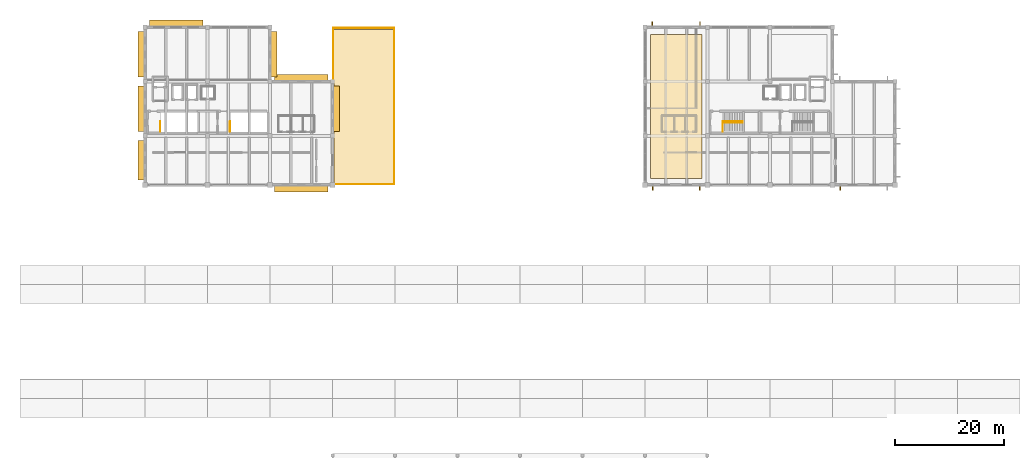
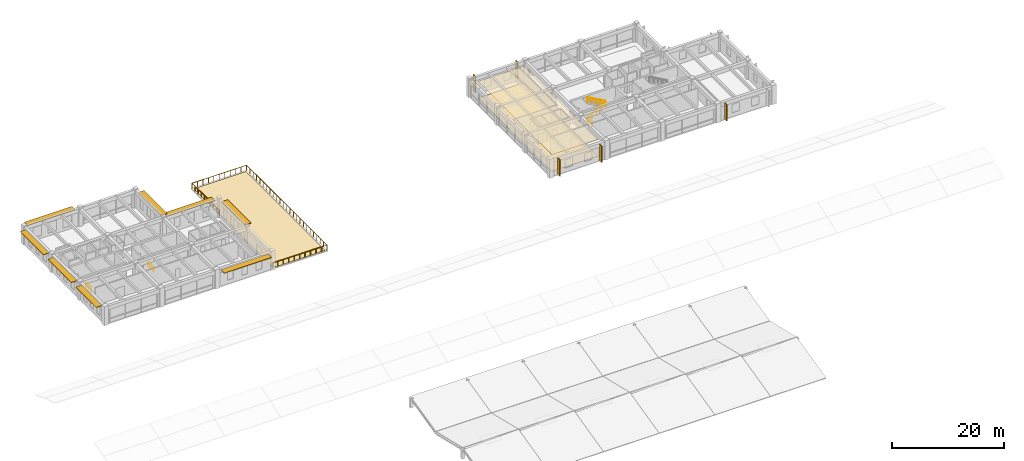
# One storey, part 32 of 33: 13 shading devices, 7 railings, 3 coverings.
"""IFC4 building model written with IfcOpenShell, lengths in metres."""

from ifc_helpers import new_model, si_unit, direction, frame, origin, origin_2d, place, context, subcontext, project, spatial, polyline, rectangle, circle, outline, extrude, material, layer, layer_set, type_object, element, save


model = new_model("IFC4")

# Units and contexts
model_context = context("Model", 3, precision=1e-05, world=origin(), true_north=direction((0.0, 1.0)))
body_context = subcontext(model_context, "Body", "Model", "MODEL_VIEW")
ifc_project = project(units=[si_unit("LENGTHUNIT", "METRE"), si_unit("AREAUNIT", "SQUARE_METRE"), si_unit("VOLUMEUNIT", "CUBIC_METRE"), si_unit("PLANEANGLEUNIT", "RADIAN"), si_unit("MASSUNIT", "GRAM", prefix="KILO")], contexts=[model_context])

# Site, building, storey
site_placement = place(None, origin())
site = spatial("IfcSite", under=ifc_project, at=site_placement, CompositionType="ELEMENT")
building_placement = place(site_placement, origin())
building = spatial("IfcBuilding", under=site, at=building_placement, Name="Ologun Quay Terminus", CompositionType="ELEMENT")
storey_placement = place(building_placement, frame((0.0, 0.0, 18.300048828125)))
storey = spatial("IfcBuildingStorey", under=building, at=storey_placement, Name="L04", CompositionType="ELEMENT", Elevation=18.300048828125)

# Covering
ifc_material_1 = material(Name="Steel S355", Category="steel")
ifc_layer_1 = layer(ifc_material_1, 0.044921875)
ifc_layer_set_1 = layer_set([ifc_layer_1], Name="Steel S355")
covering_type_1 = type_object("IfcCoveringType", Name="Anti-Static Raised Access Control Floor 45", PredefinedType="FLOORING", material=ifc_layer_set_1)
covering_1_placement = place(storey_placement, origin())
element("IfcCovering", 1, at=covering_1_placement, inside=storey, type_object=covering_type_1, Name="CV-FL3 Interior Flooring 14", PredefinedType="FLOORING", context=body_context, shape_type="SweptSolid", body=[
    extrude(outline(polyline([(116.0, 87.0), (125.5, 87.0), (125.5, 113.5), (116.0, 113.5), (116.0, 87.0)])), origin(), (0.0, 0.0, 1.0), 0.044921875),
])

# Shading devices
ifc_material_2 = material(Name="Aluminium 6063-T6", Category="aluminium")
ifc_layer_2 = layer(ifc_material_2, 0.10009765625)
ifc_layer_set_2 = layer_set([ifc_layer_2], Name="Aluminium 6063-T6")
shading_device_type_1 = type_object("IfcShadingDeviceType", Name="Deep Waterfront Brise-Soleil Blade 1200", PredefinedType="JALOUSIE", material=ifc_layer_set_2)
shading_device_1_placement = place(storey_placement, frame((51.75, 85.070068359375, 3.489990234375), z_axis=(0.0, 0.0, 1.0), x_axis=(1.0, 0.0, 0.0)))
element("IfcShadingDevice", 2, at=shading_device_1_placement, inside=storey, type_object=shading_device_type_1, Name="SD-02 Sun-Hood WEW-WW-O-L04-3", PredefinedType="JALOUSIE", context=body_context, shape_type="SweptSolid", body=[
    extrude(rectangle(XDim=9.760009765625, YDim=1.199951171875, at=origin_2d()), origin(), (0.0, 0.0, 1.0), 0.10009765625),
])
shading_device_2_placement = place(storey_placement, frame((58.22998046875, 99.800048828125, 3.489990234375), z_axis=(0.0, 0.0, 1.0), x_axis=(1.0, 0.0, 0.0)))
element("IfcShadingDevice", 3, at=shading_device_2_placement, inside=storey, type_object=shading_device_type_1, Name="SD-02 Sun-Hood WEW-WW-O-L04-5", PredefinedType="JALOUSIE", context=body_context, shape_type="SweptSolid", body=[
    extrude(rectangle(XDim=1.199951171875, YDim=8.360107421875, at=origin_2d()), origin(), (0.0, 0.0, 1.0), 0.10009765625),
])
shading_device_3_placement = place(storey_placement, frame((51.75, 105.530029296875, 3.489990234375), z_axis=(0.0, 0.0, 1.0), x_axis=(1.0, 0.0, 0.0)))
element("IfcShadingDevice", 4, at=shading_device_3_placement, inside=storey, type_object=shading_device_type_1, Name="SD-02 Sun-Hood WEW-WW-O-L04-6", PredefinedType="JALOUSIE", context=body_context, shape_type="SweptSolid", body=[
    extrude(rectangle(XDim=9.860107421875, YDim=1.199951171875, at=origin_2d()), origin(), (0.0, 0.0, 1.0), 0.10009765625),
])
shading_device_4_placement = place(storey_placement, frame((46.72998046875, 109.800048828125, 3.489990234375), z_axis=(0.0, 0.0, 1.0), x_axis=(1.0, 0.0, 0.0)))
element("IfcShadingDevice", 5, at=shading_device_4_placement, inside=storey, type_object=shading_device_type_1, Name="SD-02 Sun-Hood WEW-WW-O-L04-7", PredefinedType="JALOUSIE", context=body_context, shape_type="SweptSolid", body=[
    extrude(rectangle(XDim=1.199951171875, YDim=8.360107421875, at=origin_2d()), origin(), (0.0, 0.0, 1.0), 0.10009765625),
])
shading_device_5_placement = place(storey_placement, frame((28.75, 115.530029296875, 3.489990234375), z_axis=(0.0, 0.0, 1.0), x_axis=(1.0, 0.0, 0.0)))
element("IfcShadingDevice", 6, at=shading_device_5_placement, inside=storey, type_object=shading_device_type_1, Name="SD-02 Sun-Hood WEW-WW-N-L04-8", PredefinedType="JALOUSIE", context=body_context, shape_type="SweptSolid", body=[
    extrude(rectangle(XDim=9.860107421875, YDim=1.199951171875, at=origin_2d()), origin(), (0.0, 0.0, 1.0), 0.10009765625),
])
shading_device_6_placement = place(storey_placement, frame((22.27001953125, 90.324951171875, 3.489990234375), z_axis=(0.0, 0.0, 1.0), x_axis=(1.0, 0.0, 0.0)))
element("IfcShadingDevice", 7, at=shading_device_6_placement, inside=storey, type_object=shading_device_type_1, Name="SD-02 Sun-Hood WEW-WW-O-L04-10", PredefinedType="JALOUSIE", context=body_context, shape_type="SweptSolid", body=[
    extrude(rectangle(XDim=1.199951171875, YDim=7.31005859375, at=origin_2d()), origin(), (0.0, 0.0, 1.0), 0.10009765625),
])
for number, where, z_axis, x_axis, name in (
    (8, (22.27001953125, 99.800048828125, 3.489990234375), (0.0, 0.0, 1.0), (1.0, 0.0, 0.0), "SD-02 Sun-Hood WEW-WW-O-L04-11"),
    (9, (22.27001953125, 109.800048828125, 3.489990234375), (0.0, 0.0, 1.0), (1.0, 0.0, 0.0), "SD-02 Sun-Hood WEW-WW-O-L04-12"),
):
    element("IfcShadingDevice", number, at=place(storey_placement, frame(where, z_axis=z_axis, x_axis=x_axis)), inside=storey, type_object=shading_device_type_1, Name=name, PredefinedType="JALOUSIE", context=body_context, shape_type="SweptSolid", body=[
        extrude(rectangle(XDim=1.199951171875, YDim=8.360107421875, at=origin_2d()), origin(), (0.0, 0.0, 1.0), 0.10009765625),
    ])

# Covering
ifc_material_3 = material(Name="Gypsum Acoustic Stud")
ifc_layer_3 = layer(ifc_material_3, 0.02001953125)
ifc_layer_set_3 = layer_set([ifc_layer_3], Name="Gypsum Acoustic Stud")
covering_type_2 = type_object("IfcCoveringType", Name="Mineral-Fibre Acoustic Suspended Ceiling 20", PredefinedType="CEILING", material=ifc_layer_set_3)
covering_2_placement = place(storey_placement, frame((0.0, 0.0, 3.64990234375)))
element("IfcCovering", 10, at=covering_2_placement, inside=storey, type_object=covering_type_2, Name="CV-CL2 Acoustic Ceiling 11", PredefinedType="CEILING", context=body_context, shape_type="SweptSolid", body=[
    extrude(outline(polyline([(116.0, 87.0), (125.5, 87.0), (125.5, 113.5), (116.0, 113.5), (116.0, 87.0)])), origin(), (0.0, 0.0, 1.0), 0.02001953125),
])

# Shading devices
ifc_material_4 = material(Name="Concrete C40/50", Category="concrete")
ifc_layer_4 = layer(ifc_material_4, 0.159912109375)
ifc_layer_set_4 = layer_set([ifc_layer_4], Name="Concrete C40/50")
shading_device_type_2 = type_object("IfcShadingDeviceType", Name="Operations Angled Precast Solar Fin 850x160", PredefinedType="USERDEFINED", material=ifc_layer_set_4)
for number, where, z_axis, x_axis, name in (
    (11, (116.419921875, 85.2451171875, 0.14990234375), (0.0, 0.0, 1.0), (1.0, 0.0, 0.0), "SD-05 Vertical Solar Fin WEW-EW-L04-1-1"),
    (12, (125.080078125, 85.2451171875, 0.14990234375), (0.0, 0.0, 1.0), (1.0, 0.0, 0.0), "SD-05 Vertical Solar Fin WEW-EW-L04-1-2"),
    (13, (150.919921875, 85.2451171875, 0.14990234375), (0.0, 0.0, 1.0), (1.0, 0.0, 0.0), "SD-05 Vertical Solar Fin WEW-EW-L04-4-1"),
    (14, (116.3701171875, 115.35498046875, 0.14990234375), (0.0, 0.0, 1.0), (1.0, 0.0, 0.0), "SD-05 Vertical Solar Fin WEW-EW-L04-9-1"),
    (15, (125.1298828125, 115.35498046875, 0.14990234375), (0.0, 0.0, 1.0), (1.0, 0.0, 0.0), "SD-05 Vertical Solar Fin WEW-EW-L04-9-2"),
):
    element("IfcShadingDevice", number, at=place(storey_placement, frame(where, z_axis=z_axis, x_axis=x_axis)), inside=storey, type_object=shading_device_type_2, Name=name, ObjectType="SOLAR FIN", PredefinedType="USERDEFINED", context=body_context, shape_type="SweptSolid", body=[
        extrude(rectangle(XDim=0.159912109375, YDim=0.85009765625, at=origin_2d()), origin(), (0.0, 0.0, 1.0), 3.590087890625),
    ])

# Railings
ifc_material_5 = material(Name="Steel S355", Category="steel")
railing_type_1 = type_object("IfcRailingType", Name="Stair & Landing Steel Guardrail 1100", PredefinedType="GUARDRAIL", material=ifc_material_5)
for number, where, name in (
    (16, (25.81005859375, 97.43994140625, 0.0), "GR-ST Stair Floor Edge Guard ST-W1 L04"),
    (17, (38.659912109375, 97.43994140625, 0.0), "GR-ST Stair Floor Edge Guard ST-W2 L04"),
    (18, (129.31005859375, 97.43994140625, 0.0), "GR-ST Stair Floor Edge Guard ST-E1 L04"),
):
    element("IfcRailing", number, at=place(storey_placement, frame(where)), inside=storey, type_object=railing_type_1, Name=name, PredefinedType="GUARDRAIL", context=body_context, shape_type="SweptSolid", body=[
        extrude(circle(Radius=0.02392578125, at=origin_2d()), frame((0.0, 0.0, 1.076171875), z_axis=(0.0, -1.0, 0.0), x_axis=(1.0, 0.0, 0.0)), (0.0, 0.0, 1.0), 1.829833984375),
        extrude(circle(Radius=0.02099609375, at=origin_2d()), origin(), (0.0, 0.0, 1.0), 1.052001953125),
        extrude(circle(Radius=0.02099609375, at=origin_2d()), frame((0.0, -0.9150390625, 0.0)), (0.0, 0.0, 1.0), 1.052001953125),
        extrude(circle(Radius=0.02099609375, at=origin_2d()), frame((0.0, -1.829833984375, 0.0)), (0.0, 0.0, 1.0), 1.052001953125),
    ])
railing_1_placement = place(storey_placement, frame((129.35009765625, 97.25, 0.0)))
element("IfcRailing", 19, at=railing_1_placement, inside=storey, type_object=railing_type_1, Name="GR-ST Stair Inner Well Guard ST-E1 L04", PredefinedType="GUARDRAIL", context=body_context, shape_type="SweptSolid", body=[
    extrude(circle(Radius=0.02392578125, at=origin_2d()), frame((0.0, 0.0, 1.076171875), z_axis=(0.867664361017, 0.0, 0.497150436609), x_axis=(0.0, 1.0, 0.0)), (0.0, 0.0, 1.0), 4.18359375),
    extrude(circle(Radius=0.02392578125, at=origin_2d()), frame((3.6298828125, 0.0, 3.15576171875), z_axis=(0.0, 1.0, 0.0), x_axis=(-1.0, 0.0, 0.0)), (0.0, 0.0, 1.0), 0.199951171875),
    extrude(circle(Radius=0.02392578125, at=origin_2d()), frame((3.6298828125, 0.199951171875, 3.15576171875), z_axis=(-0.867639187414, 0.0, 0.497194368898), x_axis=(0.0, -1.0, 0.0)), (0.0, 0.0, 1.0), 4.18359375),
    extrude(circle(Radius=0.02099609375, at=origin_2d()), origin(), (0.0, 0.0, 1.0), 1.052001953125),
    extrude(circle(Radius=0.02099609375, at=origin_2d()), frame((0.907470703125, 0.0, 0.52001953125)), (0.0, 0.0, 1.0), 1.052001953125),
    extrude(circle(Radius=0.02099609375, at=origin_2d()), frame((1.81494140625, 0.0, 1.0400390625)), (0.0, 0.0, 1.0), 1.052001953125),
    extrude(circle(Radius=0.02099609375, at=origin_2d()), frame((2.722412109375, 0.0, 1.559814453125)), (0.0, 0.0, 1.0), 1.052001953125),
    extrude(circle(Radius=0.02099609375, at=origin_2d()), frame((3.6298828125, 0.0, 2.079833984375)), (0.0, 0.0, 1.0), 1.052001953125),
    extrude(circle(Radius=0.02099609375, at=origin_2d()), frame((3.6298828125, 0.199951171875, 2.079833984375)), (0.0, 0.0, 1.0), 1.052001953125),
    extrude(circle(Radius=0.02099609375, at=origin_2d()), frame((2.722412109375, 0.199951171875, 2.599853515625)), (0.0, 0.0, 1.0), 1.052001953125),
    extrude(circle(Radius=0.02099609375, at=origin_2d()), frame((1.81494140625, 0.199951171875, 3.119873046875)), (0.0, 0.0, 1.0), 1.052001953125),
    extrude(circle(Radius=0.02099609375, at=origin_2d()), frame((0.907470703125, 0.199951171875, 3.639892578125)), (0.0, 0.0, 1.0), 1.052001953125),
    extrude(circle(Radius=0.02099609375, at=origin_2d()), frame((0.0, 0.199951171875, 4.159912109375)), (0.0, 0.0, 1.0), 1.052001953125),
])
ifc_material_6 = material(Name="Steel S355", Category="steel")
railing_type_2 = type_object("IfcRailingType", Name="Stair Stainless Tubular Handrail 920", PredefinedType="HANDRAIL", material=ifc_material_6)
railing_2_placement = place(storey_placement, frame((129.35009765625, 97.239990234375, 0.159912109375)))
element("IfcRailing", 20, at=railing_2_placement, inside=storey, type_object=railing_type_2, Name="HR-ST Handrail ST-E1-F1 L04", PredefinedType="HANDRAIL", context=body_context, shape_type="SweptSolid", body=[
    extrude(circle(Radius=0.02392578125, at=origin_2d()), frame((0.0, 0.0, 0.89599609375), z_axis=(0.882352941176, 0.0, 0.470588235294), x_axis=(0.0, 1.0, 0.0)), (0.0, 0.0, 1.0), 4.079833984375),
    extrude(circle(Radius=0.02099609375, at=origin_2d()), origin(), (0.0, 0.0, 1.0), 0.871826171875),
    extrude(circle(Radius=0.02099609375, at=origin_2d()), frame((0.89990234375, 0.0, 0.47998046875)), (0.0, 0.0, 1.0), 0.871826171875),
    extrude(circle(Radius=0.02099609375, at=origin_2d()), frame((1.7998046875, 0.0, 0.9599609375)), (0.0, 0.0, 1.0), 0.871826171875),
    extrude(circle(Radius=0.02099609375, at=origin_2d()), frame((2.699951171875, 0.0, 1.43994140625)), (0.0, 0.0, 1.0), 0.871826171875),
    extrude(circle(Radius=0.02099609375, at=origin_2d()), frame((3.599853515625, 0.0, 1.919921875)), (0.0, 0.0, 1.0), 0.871826171875),
])
railing_3_placement = place(storey_placement, frame((132.949951171875, 97.4599609375, 2.239990234375)))
element("IfcRailing", 21, at=railing_3_placement, inside=storey, type_object=railing_type_2, Name="HR-ST Handrail ST-E1-F2 L04", PredefinedType="HANDRAIL", context=body_context, shape_type="SweptSolid", body=[
    extrude(circle(Radius=0.02392578125, at=origin_2d()), frame((0.0, 0.0, 0.89599609375), z_axis=(-0.882352941176, 0.0, 0.470588235294), x_axis=(0.0, -1.0, 0.0)), (0.0, 0.0, 1.0), 4.079833984375),
    extrude(circle(Radius=0.02099609375, at=origin_2d()), origin(), (0.0, 0.0, 1.0), 0.871826171875),
    extrude(circle(Radius=0.02099609375, at=origin_2d()), frame((-0.89990234375, 0.0, 0.47998046875)), (0.0, 0.0, 1.0), 0.871826171875),
    extrude(circle(Radius=0.02099609375, at=origin_2d()), frame((-1.7998046875, 0.0, 0.9599609375)), (0.0, 0.0, 1.0), 0.871826171875),
    extrude(circle(Radius=0.02099609375, at=origin_2d()), frame((-2.699951171875, 0.0, 1.43994140625)), (0.0, 0.0, 1.0), 0.871826171875),
    extrude(circle(Radius=0.02099609375, at=origin_2d()), frame((-3.599853515625, 0.0, 1.919921875)), (0.0, 0.0, 1.0), 0.871826171875),
])
ifc_material_7 = material(Name="Steel S355", Category="steel")
railing_type_3 = type_object("IfcRailingType", Name="Terrace & Quay Perimeter Guardrail 1150", PredefinedType="GUARDRAIL", material=ifc_material_7)
railing_4_placement = place(storey_placement, frame((57.6201171875, 85.919921875, 0.0)))
element("IfcRailing", 22, at=railing_4_placement, inside=storey, type_object=railing_type_3, Name="GR-TR Courtyard Overlook Terrace Guardrail L04", PredefinedType="GUARDRAIL", context=body_context, shape_type="SweptSolid", body=[
    extrude(circle(Radius=0.02392578125, at=origin_2d()), frame((0.0, 0.0, 1.1259765625), z_axis=(1.0, 0.0, 0.0), x_axis=(0.0, 1.0, 0.0)), (0.0, 0.0, 1.0), 11.259765625),
    extrude(circle(Radius=0.02392578125, at=origin_2d()), frame((11.259765625, 0.0, 1.1259765625), z_axis=(0.0, 1.0, 0.0), x_axis=(-1.0, 0.0, 0.0)), (0.0, 0.0, 1.0), 28.760009765625),
    extrude(circle(Radius=0.02392578125, at=origin_2d()), frame((11.259765625, 28.760009765625, 1.1259765625), z_axis=(-1.0, 0.0, 0.0), x_axis=(0.0, -1.0, 0.0)), (0.0, 0.0, 1.0), 11.259765625),
    extrude(circle(Radius=0.02392578125, at=origin_2d()), frame((0.0, 28.760009765625, 1.1259765625), z_axis=(0.0, -1.0, 0.0), x_axis=(1.0, 0.0, 0.0)), (0.0, 0.0, 1.0), 9.760009765625),
    extrude(circle(Radius=0.02099609375, at=origin_2d()), origin(), (0.0, 0.0, 1.0), 1.101806640625),
    extrude(circle(Radius=0.02099609375, at=origin_2d()), frame((1.1259765625, 0.0, 0.0)), (0.0, 0.0, 1.0), 1.101806640625),
    extrude(circle(Radius=0.02099609375, at=origin_2d()), frame((2.251953125, 0.0, 0.0)), (0.0, 0.0, 1.0), 1.101806640625),
    extrude(circle(Radius=0.02099609375, at=origin_2d()), frame((3.3779296875, 0.0, 0.0)), (0.0, 0.0, 1.0), 1.101806640625),
    extrude(circle(Radius=0.02099609375, at=origin_2d()), frame((4.50390625, 0.0, 0.0)), (0.0, 0.0, 1.0), 1.101806640625),
    extrude(circle(Radius=0.02099609375, at=origin_2d()), frame((5.6298828125, 0.0, 0.0)), (0.0, 0.0, 1.0), 1.101806640625),
    extrude(circle(Radius=0.02099609375, at=origin_2d()), frame((6.755859375, 0.0, 0.0)), (0.0, 0.0, 1.0), 1.101806640625),
    extrude(circle(Radius=0.02099609375, at=origin_2d()), frame((7.8818359375, 0.0, 0.0)), (0.0, 0.0, 1.0), 1.101806640625),
    extrude(circle(Radius=0.02099609375, at=origin_2d()), frame((9.0078125, 0.0, 0.0)), (0.0, 0.0, 1.0), 1.101806640625),
    extrude(circle(Radius=0.02099609375, at=origin_2d()), frame((10.1337890625, 0.0, 0.0)), (0.0, 0.0, 1.0), 1.101806640625),
    extrude(circle(Radius=0.02099609375, at=origin_2d()), frame((11.259765625, 0.0, 0.0)), (0.0, 0.0, 1.0), 1.101806640625),
    extrude(circle(Radius=0.02099609375, at=origin_2d()), frame((11.259765625, 1.1982421875, 0.0)), (0.0, 0.0, 1.0), 1.101806640625),
    extrude(circle(Radius=0.02099609375, at=origin_2d()), frame((11.259765625, 2.396728515625, 0.0)), (0.0, 0.0, 1.0), 1.101806640625),
    extrude(circle(Radius=0.02099609375, at=origin_2d()), frame((11.259765625, 3.594970703125, 0.0)), (0.0, 0.0, 1.0), 1.101806640625),
    extrude(circle(Radius=0.02099609375, at=origin_2d()), frame((11.259765625, 4.79345703125, 0.0)), (0.0, 0.0, 1.0), 1.101806640625),
    extrude(circle(Radius=0.02099609375, at=origin_2d()), frame((11.259765625, 5.99169921875, 0.0)), (0.0, 0.0, 1.0), 1.101806640625),
    extrude(circle(Radius=0.02099609375, at=origin_2d()), frame((11.259765625, 7.18994140625, 0.0)), (0.0, 0.0, 1.0), 1.101806640625),
    extrude(circle(Radius=0.02099609375, at=origin_2d()), frame((11.259765625, 8.388427734375, 0.0)), (0.0, 0.0, 1.0), 1.101806640625),
    extrude(circle(Radius=0.02099609375, at=origin_2d()), frame((11.259765625, 9.586669921875, 0.0)), (0.0, 0.0, 1.0), 1.101806640625),
    extrude(circle(Radius=0.02099609375, at=origin_2d()), frame((11.259765625, 10.784912109375, 0.0)), (0.0, 0.0, 1.0), 1.101806640625),
    extrude(circle(Radius=0.02099609375, at=origin_2d()), frame((11.259765625, 11.9833984375, 0.0)), (0.0, 0.0, 1.0), 1.101806640625),
    extrude(circle(Radius=0.02099609375, at=origin_2d()), frame((11.259765625, 13.181640625, 0.0)), (0.0, 0.0, 1.0), 1.101806640625),
    extrude(circle(Radius=0.02099609375, at=origin_2d()), frame((11.259765625, 14.3798828125, 0.0)), (0.0, 0.0, 1.0), 1.101806640625),
    extrude(circle(Radius=0.02099609375, at=origin_2d()), frame((11.259765625, 15.578369140625, 0.0)), (0.0, 0.0, 1.0), 1.101806640625),
    extrude(circle(Radius=0.02099609375, at=origin_2d()), frame((11.259765625, 16.776611328125, 0.0)), (0.0, 0.0, 1.0), 1.101806640625),
    extrude(circle(Radius=0.02099609375, at=origin_2d()), frame((11.259765625, 17.97509765625, 0.0)), (0.0, 0.0, 1.0), 1.101806640625),
    extrude(circle(Radius=0.02099609375, at=origin_2d()), frame((11.259765625, 19.17333984375, 0.0)), (0.0, 0.0, 1.0), 1.101806640625),
    extrude(circle(Radius=0.02099609375, at=origin_2d()), frame((11.259765625, 20.37158203125, 0.0)), (0.0, 0.0, 1.0), 1.101806640625),
    extrude(circle(Radius=0.02099609375, at=origin_2d()), frame((11.259765625, 21.570068359375, 0.0)), (0.0, 0.0, 1.0), 1.101806640625),
    extrude(circle(Radius=0.02099609375, at=origin_2d()), frame((11.259765625, 22.768310546875, 0.0)), (0.0, 0.0, 1.0), 1.101806640625),
    extrude(circle(Radius=0.02099609375, at=origin_2d()), frame((11.259765625, 23.966796875, 0.0)), (0.0, 0.0, 1.0), 1.101806640625),
    extrude(circle(Radius=0.02099609375, at=origin_2d()), frame((11.259765625, 25.1650390625, 0.0)), (0.0, 0.0, 1.0), 1.101806640625),
    extrude(circle(Radius=0.02099609375, at=origin_2d()), frame((11.259765625, 26.36328125, 0.0)), (0.0, 0.0, 1.0), 1.101806640625),
    extrude(circle(Radius=0.02099609375, at=origin_2d()), frame((11.259765625, 27.561767578125, 0.0)), (0.0, 0.0, 1.0), 1.101806640625),
    extrude(circle(Radius=0.02099609375, at=origin_2d()), frame((11.259765625, 28.760009765625, 0.0)), (0.0, 0.0, 1.0), 1.101806640625),
    extrude(circle(Radius=0.02099609375, at=origin_2d()), frame((10.1337890625, 28.760009765625, 0.0)), (0.0, 0.0, 1.0), 1.101806640625),
    extrude(circle(Radius=0.02099609375, at=origin_2d()), frame((9.0078125, 28.760009765625, 0.0)), (0.0, 0.0, 1.0), 1.101806640625),
    extrude(circle(Radius=0.02099609375, at=origin_2d()), frame((7.8818359375, 28.760009765625, 0.0)), (0.0, 0.0, 1.0), 1.101806640625),
    extrude(circle(Radius=0.02099609375, at=origin_2d()), frame((6.755859375, 28.760009765625, 0.0)), (0.0, 0.0, 1.0), 1.101806640625),
    extrude(circle(Radius=0.02099609375, at=origin_2d()), frame((5.6298828125, 28.760009765625, 0.0)), (0.0, 0.0, 1.0), 1.101806640625),
    extrude(circle(Radius=0.02099609375, at=origin_2d()), frame((4.50390625, 28.760009765625, 0.0)), (0.0, 0.0, 1.0), 1.101806640625),
    extrude(circle(Radius=0.02099609375, at=origin_2d()), frame((3.3779296875, 28.760009765625, 0.0)), (0.0, 0.0, 1.0), 1.101806640625),
    extrude(circle(Radius=0.02099609375, at=origin_2d()), frame((2.251953125, 28.760009765625, 0.0)), (0.0, 0.0, 1.0), 1.101806640625),
    extrude(circle(Radius=0.02099609375, at=origin_2d()), frame((1.1259765625, 28.760009765625, 0.0)), (0.0, 0.0, 1.0), 1.101806640625),
    extrude(circle(Radius=0.02099609375, at=origin_2d()), frame((0.0, 28.760009765625, 0.0)), (0.0, 0.0, 1.0), 1.101806640625),
    extrude(circle(Radius=0.02099609375, at=origin_2d()), frame((0.0, 27.675537109375, 0.0)), (0.0, 0.0, 1.0), 1.101806640625),
    extrude(circle(Radius=0.02099609375, at=origin_2d()), frame((0.0, 26.591064453125, 0.0)), (0.0, 0.0, 1.0), 1.101806640625),
    extrude(circle(Radius=0.02099609375, at=origin_2d()), frame((0.0, 25.506591796875, 0.0)), (0.0, 0.0, 1.0), 1.101806640625),
    extrude(circle(Radius=0.02099609375, at=origin_2d()), frame((0.0, 24.422119140625, 0.0)), (0.0, 0.0, 1.0), 1.101806640625),
    extrude(circle(Radius=0.02099609375, at=origin_2d()), frame((0.0, 23.337890625, 0.0)), (0.0, 0.0, 1.0), 1.101806640625),
    extrude(circle(Radius=0.02099609375, at=origin_2d()), frame((0.0, 22.25341796875, 0.0)), (0.0, 0.0, 1.0), 1.101806640625),
    extrude(circle(Radius=0.02099609375, at=origin_2d()), frame((0.0, 21.1689453125, 0.0)), (0.0, 0.0, 1.0), 1.101806640625),
    extrude(circle(Radius=0.02099609375, at=origin_2d()), frame((0.0, 20.08447265625, 0.0)), (0.0, 0.0, 1.0), 1.101806640625),
    extrude(circle(Radius=0.02099609375, at=origin_2d()), frame((0.0, 19.0, 0.0)), (0.0, 0.0, 1.0), 1.101806640625),
])

# Covering
ifc_material_8 = material(Name="Waterproof Membrane")
ifc_layer_5 = layer(ifc_material_8, 0.01806640625)
ifc_layer_set_5 = layer_set([ifc_layer_5], Name="Waterproof Membrane")
covering_type_3 = type_object("IfcCoveringType", Name="Two-Ply Polymeric Waterproof Roof Membrane 18", PredefinedType="ROOFING", material=ifc_layer_set_5)
covering_3_placement = place(storey_placement, origin())
element("IfcCovering", 23, at=covering_3_placement, inside=storey, type_object=covering_type_3, Name="CV-RFM Terrace Waterproof Membrane 3", PredefinedType="ROOFING", context=body_context, shape_type="SweptSolid", body=[
    extrude(outline(polyline([(57.800048828125, 86.0), (68.60009765625, 86.0), (68.60009765625, 114.39990234375), (57.800048828125, 114.39990234375), (57.800048828125, 86.0)])), origin(), (0.0, 0.0, 1.0), 0.01806640625),
])

save(model, "model.ifc")
